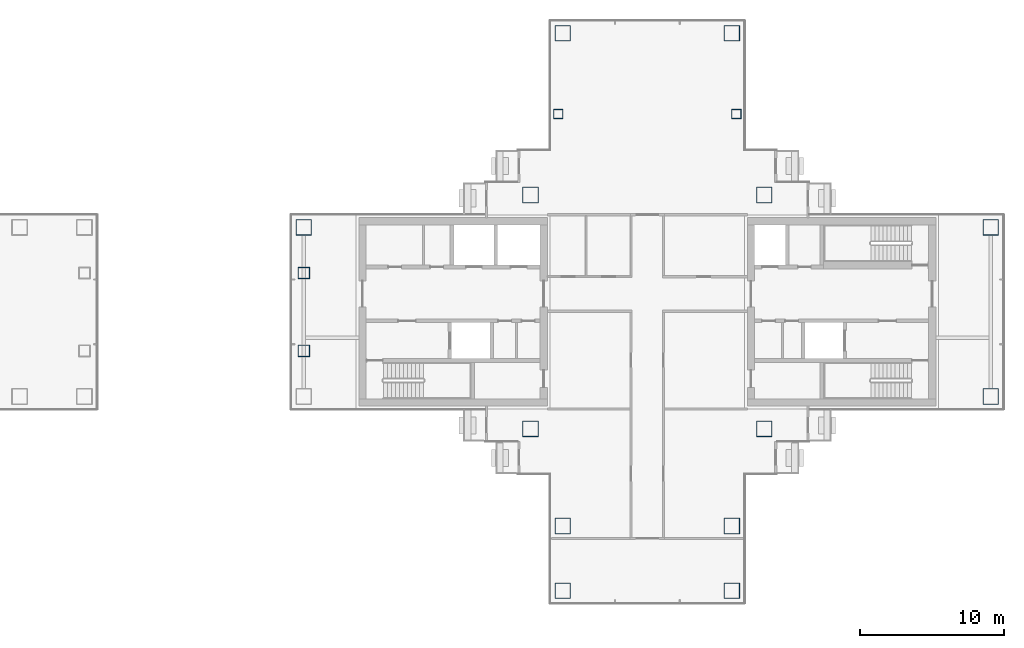
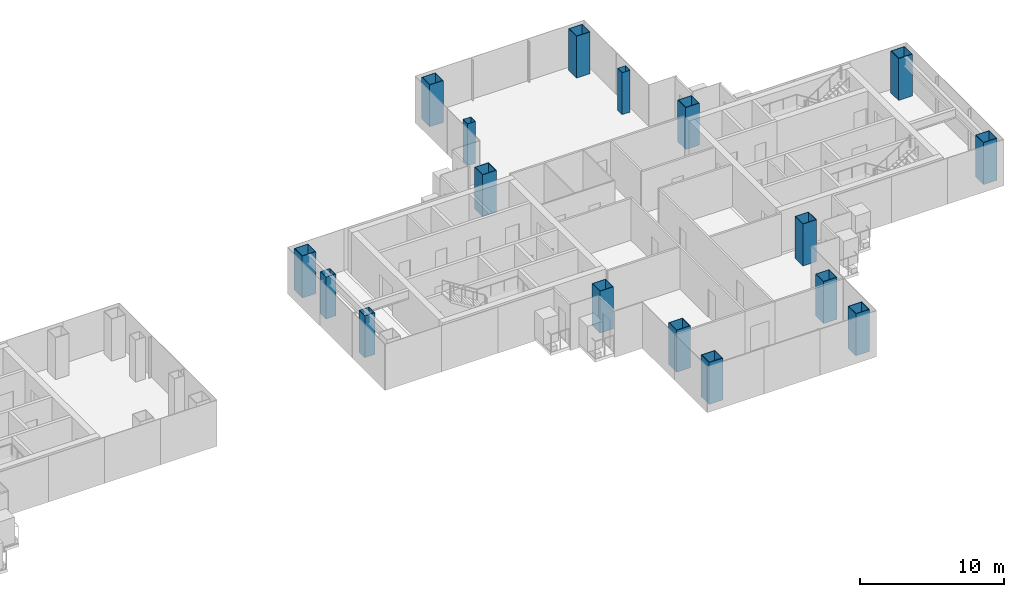
# One storey, part 2 of 17: 17 columns.
"""IFC4 building model written with IfcOpenShell, lengths in metres."""

from ifc_helpers import new_model, si_unit, direction, frame, origin, origin_2d, place, context, subcontext, project, spatial, hollow_rectangle, extrude, material, material_profile, profile_set, type_object, element, save


model = new_model("IFC4")

# Units and contexts
model_context = context("Model", 3, precision=1e-05, world=origin(), true_north=direction((0.0, 1.0)))
body_context = subcontext(model_context, "Body", "Model", "MODEL_VIEW")
ifc_project = project(units=[si_unit("LENGTHUNIT", "METRE"), si_unit("AREAUNIT", "SQUARE_METRE"), si_unit("VOLUMEUNIT", "CUBIC_METRE"), si_unit("PLANEANGLEUNIT", "RADIAN"), si_unit("MASSUNIT", "GRAM", prefix="KILO")], contexts=[model_context])

# Site, building, storey
site_placement = place(None, origin())
site = spatial("IfcSite", under=ifc_project, at=site_placement, CompositionType="ELEMENT")
building_placement = place(site_placement, origin())
building = spatial("IfcBuilding", under=site, at=building_placement, Name="Shamsa Quay Exchange Towers", CompositionType="ELEMENT")
storey_placement = place(building_placement, frame((0.0, 0.0, 170.10009765625)))
storey = spatial("IfcBuildingStorey", under=building, at=storey_placement, Name="L40", CompositionType="ELEMENT", Elevation=170.10009765625)

# Columns
ifc_material_1 = material(Name="Concrete-filled steel tube S355 / C80/95", Category="concrete")
ifc_material_profile_1 = material_profile(ifc_material_1, hollow_rectangle(XDim=1.10009765625, YDim=1.10009765625, WallThickness=0.0400390625, at=origin_2d()), Name="CFT 1100x1100x40")
ifc_profile_set_1 = profile_set([ifc_material_profile_1], Name="Concrete-filled steel tube S355 / C80/95")
column_type_1 = type_object("IfcColumnType", Name="Column CFT 1100x1100x40", PredefinedType="COLUMN", material=ifc_profile_set_1)
for number, where, name in (
    (1, (25.625, 8.125, 0.0), "Mega column T2-CM01"),
    (2, (41.875, 8.125, 0.0), "Mega column T2-CM02"),
    (3, (25.625, -8.125, 0.0), "Mega column T2-CM03"),
    (4, (41.875, -8.125, 0.0), "Mega column T2-CM04"),
    (5, (39.625, 19.375, 0.0), "Mega column T2-CM06"),
    (6, (27.875, 19.375, 0.0), "Mega column T2-CM10"),
    (7, (39.625, -14.875, 0.0), "Mega column T2-CM13"),
    (8, (39.625, -19.375, 0.0), "Mega column T2-CM14"),
    (9, (27.875, -14.875, 0.0), "Mega column T2-CM16"),
    (10, (27.875, -19.375, 0.0), "Mega column T2-CM17"),
    (11, (9.875, 5.875, 0.0), "Mega column T2-CM20"),
    (12, (57.625, -5.875, 0.0), "Mega column T2-CM21"),
    (13, (57.625, 5.875, 0.0), "Mega column T2-CM23"),
):
    element("IfcColumn", number, at=place(storey_placement, frame(where)), inside=storey, type_object=column_type_1, Name=name, PredefinedType="COLUMN", context=body_context, shape_type="SweptSolid", body=[
        extrude(hollow_rectangle(XDim=1.10009765625, YDim=1.10009765625, WallThickness=0.0400390625, at=origin_2d()), origin(), (0.0, 0.0, 1.0), 3.5498046875),
    ])
ifc_material_2 = material(Name="Concrete-filled steel tube S355 / C60/75", Category="concrete")
ifc_material_profile_2 = material_profile(ifc_material_2, hollow_rectangle(XDim=0.64990234375, YDim=0.64990234375, WallThickness=0.02001953125, at=origin_2d()), Name="CFT 650x650x20")
ifc_profile_set_2 = profile_set([ifc_material_profile_2], Name="Concrete-filled steel tube S355 / C60/75")
column_type_2 = type_object("IfcColumnType", Name="Column CFT 650x650x20", PredefinedType="COLUMN", material=ifc_profile_set_2)
for number, where, name in (
    (14, (39.9375, 13.75, 0.0), "Perimeter column T2-CP05"),
    (15, (27.5625, 13.75, 0.0), "Perimeter column T2-CP09"),
):
    element("IfcColumn", number, at=place(storey_placement, frame(where)), inside=storey, type_object=column_type_2, Name=name, PredefinedType="COLUMN", context=body_context, shape_type="SweptSolid", body=[
        extrude(hollow_rectangle(XDim=0.64990234375, YDim=0.64990234375, WallThickness=0.02001953125, at=origin_2d()), origin(), (0.0, 0.0, 1.0), 3.5498046875),
    ])
ifc_material_3 = material(Name="Concrete-filled steel tube S355 / C70/85", Category="concrete")
ifc_material_profile_3 = material_profile(ifc_material_3, hollow_rectangle(XDim=0.800048828125, YDim=0.800048828125, WallThickness=0.030029296875, at=origin_2d()), Name="CFT 800x800x30")
ifc_profile_set_3 = profile_set([ifc_material_profile_3], Name="Concrete-filled steel tube S355 / C70/85")
column_type_3 = type_object("IfcColumnType", Name="Landing column CFT 800x800x30", PredefinedType="COLUMN", material=ifc_profile_set_3)
for number, where, name in (
    (16, (9.875, -2.699951171875, 0.0), "Landing column T2 S"),
    (17, (9.875, 2.699951171875, 0.0), "Landing column T2 N"),
):
    element("IfcColumn", number, at=place(storey_placement, frame(where)), inside=storey, type_object=column_type_3, Name=name, PredefinedType="COLUMN", context=body_context, shape_type="SweptSolid", body=[
        extrude(hollow_rectangle(XDim=0.800048828125, YDim=0.800048828125, WallThickness=0.030029296875, at=origin_2d()), origin(), (0.0, 0.0, 1.0), 3.5498046875),
    ])

save(model, "model.ifc")
